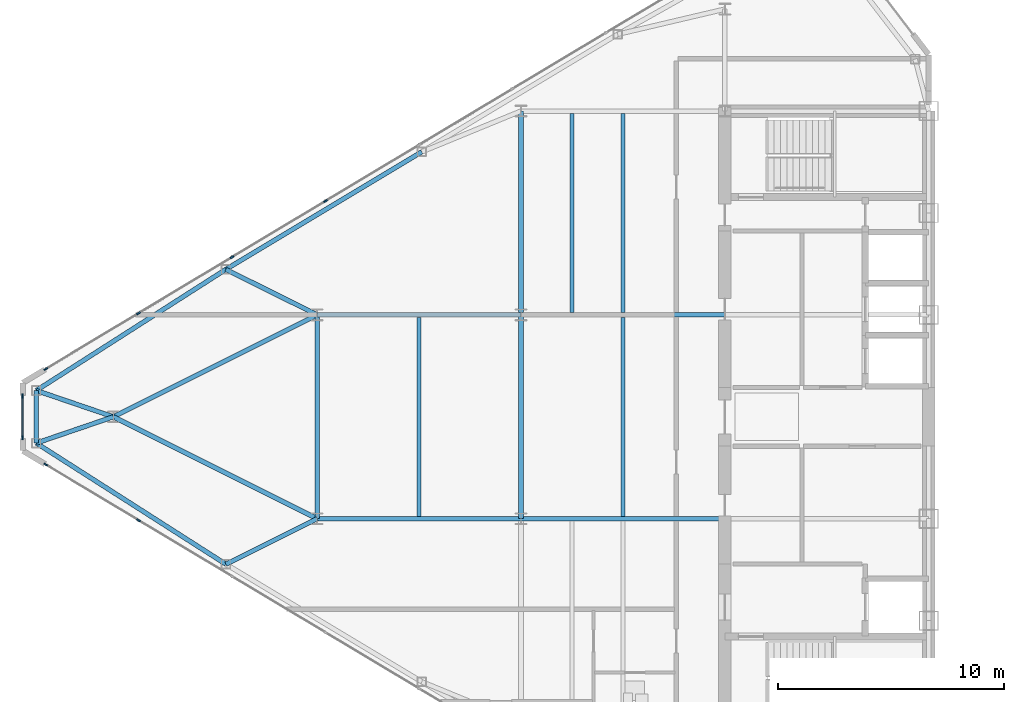
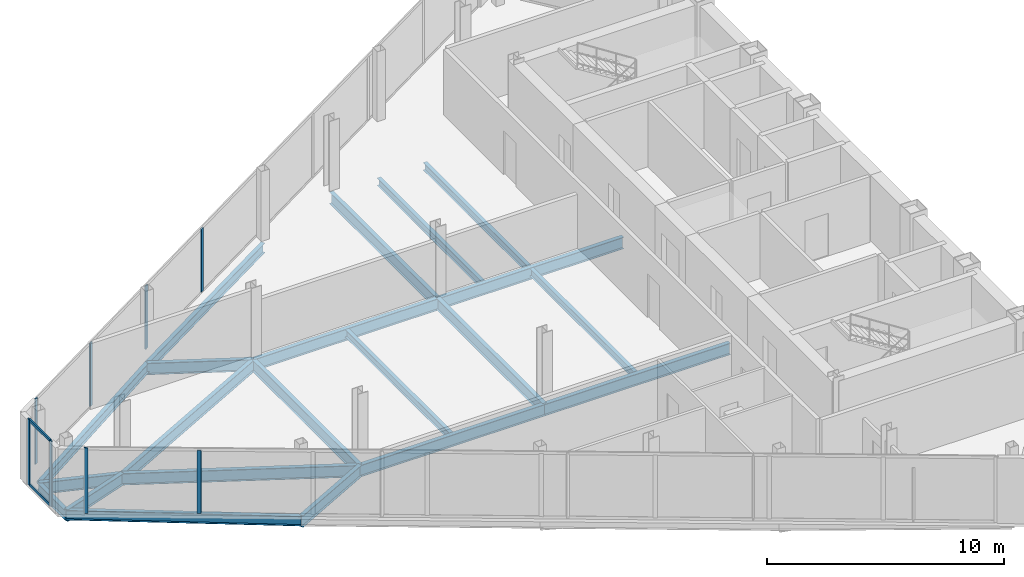
# One storey, part 7 of 25: 21 beams, 10 members, 3 elements without a shape of their own.
"""IFC4 building model written with IfcOpenShell, lengths in metres."""

from ifc_helpers import new_model, si_unit, direction, frame, origin, origin_2d, place, context, subcontext, project, spatial, rectangle, i_section, extrude, source, transform, mapped, material, layer, layer_set, material_profile, profile_set, type_object, type_shapes, element, aggregate, save


model = new_model("IFC4")

# Units and contexts
model_context = context("Model", 3, precision=1e-05, world=origin(), true_north=direction((0.0, 1.0)))
body_context = subcontext(model_context, "Body", "Model", "MODEL_VIEW")
ifc_project = project(units=[si_unit("LENGTHUNIT", "METRE"), si_unit("AREAUNIT", "SQUARE_METRE"), si_unit("VOLUMEUNIT", "CUBIC_METRE"), si_unit("PLANEANGLEUNIT", "RADIAN"), si_unit("MASSUNIT", "GRAM", prefix="KILO")], contexts=[model_context])

# Site, building, storey
site_placement = place(None, origin())
site = spatial("IfcSite", under=ifc_project, at=site_placement, CompositionType="ELEMENT")
building_placement = place(site_placement, origin())
building = spatial("IfcBuilding", under=site, at=building_placement, Name="Seokmaru Belvedere", CompositionType="ELEMENT")
storey_placement = place(building_placement, frame((0.0, 0.0, 203.10009765625)))
storey = spatial("IfcBuildingStorey", under=building, at=storey_placement, Name="L54", CompositionType="ELEMENT", Elevation=203.10009765625)

# Beams
ifc_material_1 = material(Name="Steel SM355 (355 MPa)", Category="steel")
ifc_material_profile_1 = material_profile(ifc_material_1, i_section(OverallWidth=0.199951171875, OverallDepth=0.60009765625, WebThickness=0.010986328125, FlangeThickness=0.01708984375, at=origin_2d()), Name="H-600x200x11x17")
ifc_profile_set_1 = profile_set([ifc_material_profile_1], Name="Steel SM355 (355 MPa)")
beam_type_1 = type_object("IfcBeamType", Name="Primary Floor Girder H-600", PredefinedType="BEAM", material=ifc_profile_set_1)
shared_shape_1 = source(origin(), body_context, "Body", "SweptSolid", [
    extrude(i_section(OverallWidth=0.199951171875, OverallDepth=0.60009765625, WebThickness=0.010986328125, FlangeThickness=0.01708984375, at=origin_2d()), origin(), (0.0, 0.0, 1.0), 9.0),
])
for number, where, z_axis, x_axis, name in (
    (1, (-45.5, -4.5, -0.52001953125), (0.0, 1.0, 0.0), (-1.0, 0.0, 0.0), "L54 W Interior Grid Girder 2"),
    (2, (-45.5, 4.5, -0.52001953125), (0.0, 1.0, 0.0), (-1.0, 0.0, 0.0), "L54 W Interior Grid Girder 3"),
    (3, (-45.5, -4.5, -0.52001953125), (1.0, 0.0, 0.0), (0.0, 1.0, 0.0), "L54 W Wing Primary Girder 2"),
    (4, (-45.5, 4.5, -0.52001953125), (1.0, 0.0, 0.0), (0.0, 1.0, 0.0), "L54 W Wing Primary Girder 3"),
    (5, (-54.5, -4.5, -0.52001953125), (1.0, 0.0, 0.0), (0.0, 1.0, 0.0), "L54 W Outer Wing Girder 1"),
    (6, (-54.5, 4.5, -0.52001953125), (1.0, 0.0, 0.0), (0.0, 1.0, 0.0), "L54 W Outer Wing Girder 2"),
    (7, (-54.5, -4.5, -0.52001953125), (0.0, 1.0, 0.0), (-1.0, 0.0, 0.0), "L54 W Apex Frame Girder"),
):
    element("IfcBeam", number, at=place(storey_placement, frame(where, z_axis=z_axis, x_axis=x_axis)), inside=storey, type_object=beam_type_1, Name=name, PredefinedType="BEAM", context=body_context, shape_type="MappedRepresentation", body=[
        mapped(shared_shape_1, transform((0.0, 0.0, 0.0), scale=1.0)),
    ])
shared_shape_2 = source(origin(), body_context, "Body", "SweptSolid", [
    extrude(i_section(OverallWidth=0.199951171875, OverallDepth=0.60009765625, WebThickness=0.010986328125, FlangeThickness=0.01708984375, at=origin_2d()), origin(), (0.0, 0.0, 1.0), 10.062255859375),
])
for number, where, z_axis, x_axis, name in (
    (8, (-54.5, -4.5, -0.52001953125), (-0.894427191, 0.4472135955, 0.0), (-0.4472135955, -0.894427191, 0.0), "L54 W Apex Converging Girder 1"),
    (9, (-54.5, 4.5, -0.52001953125), (-0.894427191, -0.4472135955, 0.0), (0.4472135955, -0.894427191, 0.0), "L54 W Apex Converging Girder 2"),
):
    element("IfcBeam", number, at=place(storey_placement, frame(where, z_axis=z_axis, x_axis=x_axis)), inside=storey, type_object=beam_type_1, Name=name, PredefinedType="BEAM", context=body_context, shape_type="MappedRepresentation", body=[
        mapped(shared_shape_2, transform((0.0, 0.0, 0.0), scale=1.0)),
    ])
ifc_material_profile_2 = material_profile(ifc_material_1, i_section(OverallWidth=0.18505859375, OverallDepth=0.389892578125, WebThickness=0.008056640625, FlangeThickness=0.011962890625, at=origin_2d()), Name="H-390x185x8x12")
ifc_profile_set_2 = profile_set([ifc_material_profile_2], Name="Steel SM355 (355 MPa)")
beam_type_2 = type_object("IfcBeamType", Name="Secondary Floor Joist H-350", PredefinedType="JOIST", material=ifc_profile_set_2)
shared_shape_3 = source(origin(), body_context, "Body", "SweptSolid", [
    extrude(i_section(OverallWidth=0.18505859375, OverallDepth=0.389892578125, WebThickness=0.008056640625, FlangeThickness=0.011962890625, at=origin_2d()), origin(), (0.0, 0.0, 1.0), 8.7900390625),
])
type_shapes(beam_type_2, [shared_shape_3])
for number, where, z_axis, x_axis, name in (
    (10, (-43.25, 4.60498046875, -0.4150390625), (0.0, 1.0, 0.0), (-1.0, 0.0, 0.0), "L54 W Wing Inner Secondary Joist 2"),
    (11, (-41.0, -4.39501953125, -0.4150390625), (0.0, 1.0, 0.0), (-1.0, 0.0, 0.0), "L54 W Secondary Floor Joist 2"),
    (12, (-41.0, 4.60498046875, -0.4150390625), (0.0, 1.0, 0.0), (-1.0, 0.0, 0.0), "L54 W Secondary Floor Joist 3"),
    (13, (-50.0, -4.39501953125, -0.4150390625), (0.0, 1.0, 0.0), (-1.0, 0.0, 0.0), "L54 W Outer Bay Secondary Joist"),
):
    element("IfcBeam", number, at=place(storey_placement, frame(where, z_axis=z_axis, x_axis=x_axis)), inside=storey, type_object=beam_type_2, Name=name, PredefinedType="JOIST", context=body_context, shape_type="MappedRepresentation", body=[
        mapped(shared_shape_3, transform((0.0, 0.0, 0.0), scale=1.0)),
    ])
ifc_material_profile_3 = material_profile(ifc_material_1, i_section(OverallWidth=0.199951171875, OverallDepth=0.5, WebThickness=0.010009765625, FlangeThickness=0.01611328125, at=origin_2d()), Name="H-500x200x10x16")
ifc_profile_set_3 = profile_set([ifc_material_profile_3], Name="Steel SM355 (355 MPa)")
beam_type_3 = type_object("IfcBeamType", Name="Perimeter Spandrel Beam H-500", PredefinedType="SPANDREL", material=ifc_profile_set_3)
shared_shape_4 = source(origin(), body_context, "Body", "SweptSolid", [
    extrude(i_section(OverallWidth=0.199951171875, OverallDepth=0.5, WebThickness=0.010009765625, FlangeThickness=0.01611328125, at=origin_2d()), origin(), (0.0, 0.0, 1.0), 10.087646484375),
])
beam_1_placement = place(storey_placement, frame((-49.8798828125, 11.698974609375, -0.47021484375), z_axis=(-0.857488654804, -0.514502873542, 0.0), x_axis=(0.514502873542, -0.857488654804, 0.0)))
element("IfcBeam", 14, at=beam_1_placement, inside=storey, type_object=beam_type_3, Name="L54 W Faceted Flank Spandrel N-3", PredefinedType="SPANDREL", context=body_context, shape_type="MappedRepresentation", body=[
    mapped(shared_shape_4, transform((0.0, 0.0, 0.0), scale=1.0)),
])
shared_shape_5 = source(origin(), body_context, "Body", "SweptSolid", [
    extrude(i_section(OverallWidth=0.199951171875, OverallDepth=0.5, WebThickness=0.010009765625, FlangeThickness=0.01611328125, at=origin_2d()), origin(), (0.0, 0.0, 1.0), 9.932861328125),
])
for number, where, z_axis, x_axis, name in (
    (15, (-58.530029296875, -6.5087890625, -0.47021484375), (-0.842651960357, 0.538458609093, 0.0), (-0.538458609093, -0.842651960357, 0.0), "L54 W Faceted Flank Spandrel S-4"),
    (16, (-58.530029296875, 6.5087890625, -0.47021484375), (-0.842651960357, -0.538458609093, 0.0), (0.538458609093, -0.842651960357, 0.0), "L54 W Faceted Flank Spandrel N-4"),
):
    element("IfcBeam", number, at=place(storey_placement, frame(where, z_axis=z_axis, x_axis=x_axis)), inside=storey, type_object=beam_type_3, Name=name, PredefinedType="SPANDREL", context=body_context, shape_type="MappedRepresentation", body=[
        mapped(shared_shape_5, transform((0.0, 0.0, 0.0), scale=1.0)),
    ])
shared_shape_6 = source(origin(), body_context, "Body", "SweptSolid", [
    extrude(i_section(OverallWidth=0.199951171875, OverallDepth=0.5, WebThickness=0.010009765625, FlangeThickness=0.01611328125, at=origin_2d()), origin(), (0.0, 0.0, 1.0), 2.32080078125),
])
type_shapes(beam_type_3, [shared_shape_4, shared_shape_5, shared_shape_6])
beam_2_placement = place(storey_placement, frame((-66.89990234375, -1.160400390625, -0.47021484375), z_axis=(0.0, 1.0, 0.0), x_axis=(-1.0, 0.0, 0.0)))
element("IfcBeam", 17, at=beam_2_placement, inside=storey, type_object=beam_type_3, Name="L54 W Faceted Apex Spandrel", PredefinedType="SPANDREL", context=body_context, shape_type="MappedRepresentation", body=[
    mapped(shared_shape_6, transform((0.0, 0.0, 0.0), scale=1.0)),
])
shared_shape_7 = source(origin(), body_context, "Body", "SweptSolid", [
    extrude(i_section(OverallWidth=0.199951171875, OverallDepth=0.60009765625, WebThickness=0.010986328125, FlangeThickness=0.01708984375, at=origin_2d()), origin(), (0.0, 0.0, 1.0), 4.5029296875),
])
for number, where, z_axis, x_axis, name in (
    (18, (-58.530029296875, -6.5087890625, -0.52001953125), (0.894979532585, 0.446107202648, 0.0), (-0.446107202648, 0.894979532585, 0.0), "L54 W Flank Radial Floor Girder S-3"),
    (19, (-58.530029296875, 6.5087890625, -0.52001953125), (0.894979532585, -0.446107202648, 0.0), (0.446107202648, 0.894979532585, 0.0), "L54 W Flank Radial Floor Girder N-3"),
):
    element("IfcBeam", number, at=place(storey_placement, frame(where, z_axis=z_axis, x_axis=x_axis)), inside=storey, type_object=beam_type_1, Name=name, PredefinedType="BEAM", context=body_context, shape_type="MappedRepresentation", body=[
        mapped(shared_shape_7, transform((0.0, 0.0, 0.0), scale=1.0)),
    ])
shared_shape_8 = source(origin(), body_context, "Body", "SweptSolid", [
    extrude(i_section(OverallWidth=0.199951171875, OverallDepth=0.60009765625, WebThickness=0.010986328125, FlangeThickness=0.01708984375, at=origin_2d()), origin(), (0.0, 0.0, 1.0), 3.592529296875),
])
type_shapes(beam_type_1, [shared_shape_1, shared_shape_2, shared_shape_7, shared_shape_8])
for number, where, z_axis, x_axis, name in (
    (20, (-66.89990234375, -1.160400390625, -0.52001953125), (0.946395973048, 0.323008764893, 0.0), (-0.323008764893, 0.946395973048, 0.0), "L54 W Apex Radial Floor Girder 1"),
    (21, (-66.89990234375, 1.160400390625, -0.52001953125), (0.946395973048, -0.323008764893, 0.0), (0.323008764893, 0.946395973048, 0.0), "L54 W Apex Radial Floor Girder 2"),
):
    element("IfcBeam", number, at=place(storey_placement, frame(where, z_axis=z_axis, x_axis=x_axis)), inside=storey, type_object=beam_type_1, Name=name, PredefinedType="BEAM", context=body_context, shape_type="MappedRepresentation", body=[
        mapped(shared_shape_8, transform((0.0, 0.0, 0.0), scale=1.0)),
    ])

# Curtain wall, member
ifc_material_2 = material(Name="Bronze Triple Insulating Glass", Category="glass")
ifc_layer = layer(ifc_material_2, 0.179931640625)
ifc_layer_set = layer_set([ifc_layer], Name="Bronze Triple Insulating Glass")
curtain_wall_type = type_object("IfcCurtainWallType", Name="High-Rise Wind-Corner Curtain Wall System CW-5", PredefinedType="NOTDEFINED", material=ifc_layer_set)
curtain_wall_1_placement = place(storey_placement, origin())
curtain_wall_1 = element("IfcCurtainWall", 22, at=curtain_wall_1_placement, inside=storey, type_object=curtain_wall_type, Name="L54 Curtain Wall WF3", PredefinedType="NOTDEFINED")
ifc_material_3 = material(Name="Anodised Bronze Aluminium", Category="aluminium")
ifc_material_profile_4 = material_profile(ifc_material_3, rectangle(XDim=0.06494140625, YDim=0.179931640625, at=origin_2d()), Name="CW-M-65x180")
ifc_profile_set_4 = profile_set([ifc_material_profile_4], Name="Anodised Bronze Aluminium")
member_type_1 = type_object("IfcMemberType", Name="Bronze Unitised Mullion 65x180", PredefinedType="MULLION", material=ifc_profile_set_4)
shared_shape_9 = source(origin(), body_context, "Body", "SweptSolid", [
    extrude(rectangle(XDim=0.06494140625, YDim=0.179931640625, at=origin_2d()), origin(), (0.0, 0.0, 1.0), 3.3798828125),
])
member_1_placement = place(storey_placement, frame((-66.486083984375, 2.1083984375, 0.0), z_axis=(0.0, 0.0, 1.0), x_axis=(0.514494909364, -0.85749343335, 0.0)))
member_1 = element("IfcMember", 23, at=member_1_placement, type_object=member_type_1, Name="CW:L54:WF3 Mullion 9", PredefinedType="MULLION", context=body_context, shape_type="MappedRepresentation", body=[
    mapped(shared_shape_9, transform((0.0, 0.0, 0.0), scale=1.0)),
])

# Curtain wall, members
curtain_wall_2_placement = place(storey_placement, origin())
curtain_wall_2 = element("IfcCurtainWall", 24, at=curtain_wall_2_placement, inside=storey, type_object=curtain_wall_type, Name="L54 Curtain Wall WF4", PredefinedType="NOTDEFINED")
member_2_placement = place(storey_placement, frame((-67.5, 0.91748046875, 0.0), z_axis=(0.0, 0.0, 1.0), x_axis=(1.0, 0.0, 0.0)))
member_2 = element("IfcMember", 25, at=member_2_placement, type_object=member_type_1, Name="CW:L54:WF4 Mullion 1", PredefinedType="MULLION", context=body_context, shape_type="MappedRepresentation", body=[
    mapped(shared_shape_9, transform((0.0, 0.0, 0.0), scale=1.0)),
])
member_3_placement = place(storey_placement, frame((-67.5, -0.91748046875, 0.0), z_axis=(0.0, 0.0, 1.0), x_axis=(1.0, 0.0, 0.0)))
member_3 = element("IfcMember", 26, at=member_3_placement, type_object=member_type_1, Name="CW:L54:WF4 Mullion 2", PredefinedType="MULLION", context=body_context, shape_type="MappedRepresentation", body=[
    mapped(shared_shape_9, transform((0.0, 0.0, 0.0), scale=1.0)),
])

# Curtain wall, member
curtain_wall_3_placement = place(storey_placement, origin())
curtain_wall_3 = element("IfcCurtainWall", 27, at=curtain_wall_3_placement, inside=storey, type_object=curtain_wall_type, Name="L54 Curtain Wall WF5", PredefinedType="NOTDEFINED")
member_4_placement = place(storey_placement, frame((-66.486083984375, -2.1083984375, 0.0), z_axis=(0.0, 0.0, 1.0), x_axis=(0.514494909364, 0.85749343335, 0.0)))
member_4 = element("IfcMember", 28, at=member_4_placement, type_object=member_type_1, Name="CW:L54:WF5 Mullion 1", PredefinedType="MULLION", context=body_context, shape_type="MappedRepresentation", body=[
    mapped(shared_shape_9, transform((0.0, 0.0, 0.0), scale=1.0)),
])

# Member
shared_shape_10 = source(origin(), body_context, "Body", "SweptSolid", [
    extrude(rectangle(XDim=0.06494140625, YDim=0.179931640625, at=origin_2d()), origin(), (0.0, 0.0, 1.0), 3.25),
])
type_shapes(member_type_1, [shared_shape_9, shared_shape_10])
member_5_placement = place(storey_placement, frame((-54.12841796875, 9.52294921875, 0.06494140625), z_axis=(0.0, 0.0, 1.0), x_axis=(0.514494909364, -0.85749343335, 0.0)))
member_5 = element("IfcMember", 29, at=member_5_placement, type_object=member_type_1, Name="CW:L54:WF3 Mullion 6", PredefinedType="MULLION", context=body_context, shape_type="MappedRepresentation", body=[
    mapped(shared_shape_10, transform((0.0, 0.0, 0.0), scale=1.0)),
])

member_6_placement = place(storey_placement, frame((-58.257080078125, 7.0458984375, 0.06494140625), z_axis=(0.0, 0.0, 1.0), x_axis=(0.514494909364, -0.85749343335, 0.0)))
member_6 = element("IfcMember", 30, at=member_6_placement, type_object=member_type_1, Name="CW:L54:WF3 Mullion 7", PredefinedType="MULLION", context=body_context, shape_type="MappedRepresentation", body=[
    mapped(shared_shape_10, transform((0.0, 0.0, 0.0), scale=1.0)),
])

member_7_placement = place(storey_placement, frame((-62.385498046875, 4.56884765625, 0.06494140625), z_axis=(0.0, 0.0, 1.0), x_axis=(0.514494909364, -0.85749343335, 0.0)))
member_7 = element("IfcMember", 31, at=member_7_placement, type_object=member_type_1, Name="CW:L54:WF3 Mullion 8", PredefinedType="MULLION", context=body_context, shape_type="MappedRepresentation", body=[
    mapped(shared_shape_10, transform((0.0, 0.0, 0.0), scale=1.0)),
])

aggregate(curtain_wall_1, [member_5, member_6, member_7, member_1])

member_8_placement = place(storey_placement, frame((-62.385498046875, -4.56884765625, 0.06494140625), z_axis=(0.0, 0.0, 1.0), x_axis=(0.514494909364, 0.85749343335, 0.0)))
member_8 = element("IfcMember", 32, at=member_8_placement, type_object=member_type_1, Name="CW:L54:WF5 Mullion 2", PredefinedType="MULLION", context=body_context, shape_type="MappedRepresentation", body=[
    mapped(shared_shape_10, transform((0.0, 0.0, 0.0), scale=1.0)),
])

aggregate(curtain_wall_3, [member_4, member_8])

ifc_material_profile_5 = material_profile(ifc_material_3, rectangle(XDim=0.06494140625, YDim=0.14990234375, at=origin_2d()), Name="CW-T-65x150")
ifc_profile_set_5 = profile_set([ifc_material_profile_5], Name="Anodised Bronze Aluminium")
member_type_2 = type_object("IfcMemberType", Name="Bronze Unitised Transom 65x150", PredefinedType="USERDEFINED", material=ifc_profile_set_5)
shared_shape_11 = source(origin(), body_context, "Body", "SweptSolid", [
    extrude(rectangle(XDim=0.06494140625, YDim=0.14990234375, at=origin_2d()), origin(), (0.0, 0.0, 1.0), 1.77001953125),
])
type_shapes(member_type_2, [shared_shape_11])
member_9_placement = place(storey_placement, frame((-67.5, 0.885009765625, 0.032470703125), z_axis=(0.0, -1.0, 0.0), x_axis=(1.0, 0.0, 0.0)))
member_9 = element("IfcMember", 33, at=member_9_placement, type_object=member_type_2, Name="CW:L54:WF4 Continuous Transom 1", ObjectType="TRANSOM", PredefinedType="USERDEFINED", context=body_context, shape_type="MappedRepresentation", body=[
    mapped(shared_shape_11, transform((0.0, 0.0, 0.0), scale=1.0)),
])

member_10_placement = place(storey_placement, frame((-67.5, 0.885009765625, 3.347412109375), z_axis=(0.0, -1.0, 0.0), x_axis=(1.0, 0.0, 0.0)))
member_10 = element("IfcMember", 34, at=member_10_placement, type_object=member_type_2, Name="CW:L54:WF4 Continuous Transom 2", ObjectType="TRANSOM", PredefinedType="USERDEFINED", context=body_context, shape_type="MappedRepresentation", body=[
    mapped(shared_shape_11, transform((0.0, 0.0, 0.0), scale=1.0)),
])

aggregate(curtain_wall_2, [member_2, member_3, member_9, member_10])

save(model, "model.ifc")
